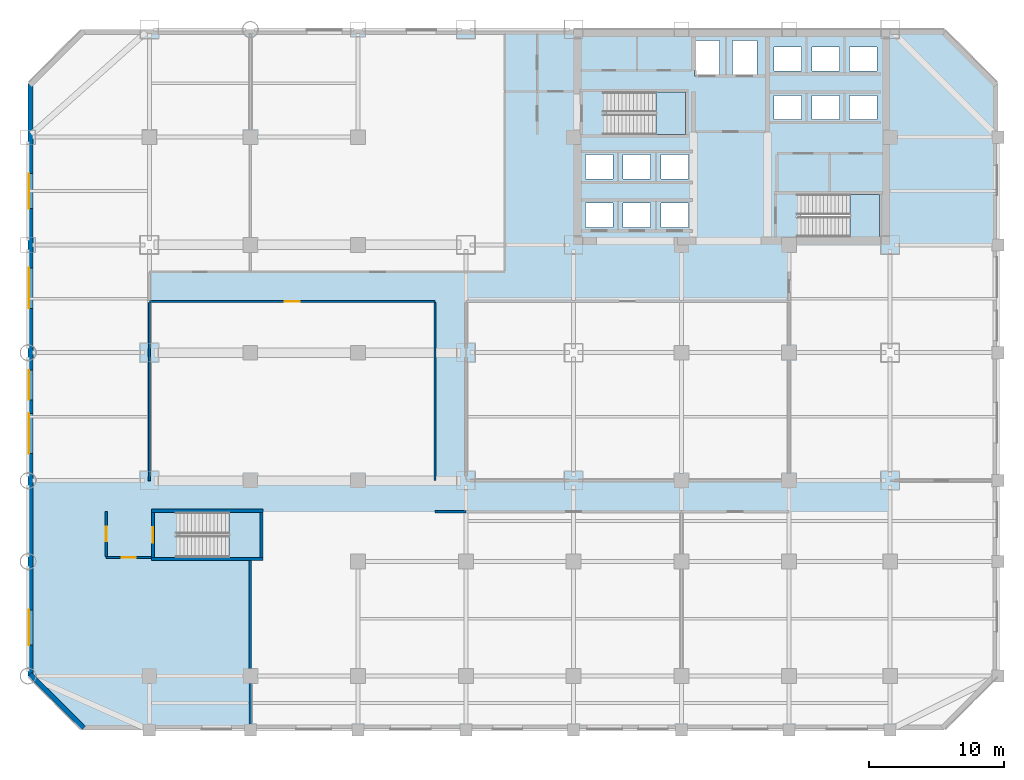
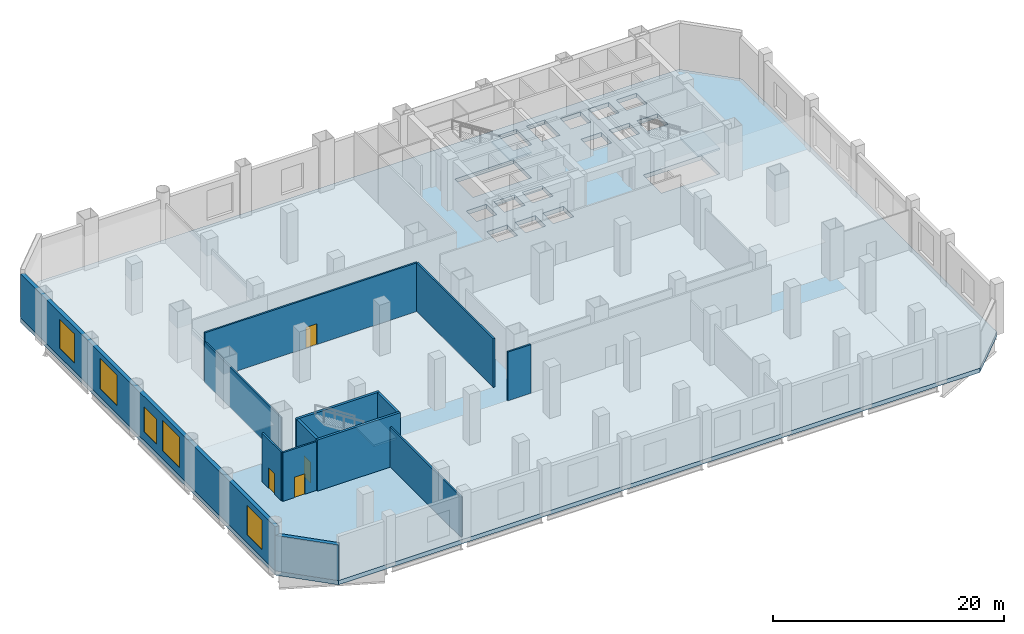
# One storey, part 3 of 10: 13 walls, 5 windows, 4 doors, 4 slabs, 9 openings, 3 elements without a shape of their own.
"""IFC4 building model written with IfcOpenShell, lengths in metres."""

from ifc_helpers import new_model, si_unit, direction, frame, frame_2d, origin, place, context, subcontext, project, spatial, polyline, rectangle, outline, extrude, material, layer, layer_set, type_object, element, fill, aggregate, save


model = new_model("IFC4")

# Units and contexts
model_context = context("Model", 3, precision=1e-05, world=origin(), true_north=direction((0.0, 1.0)))
body_context = subcontext(model_context, "Body", "Model", "MODEL_VIEW")
ifc_project = project(units=[si_unit("LENGTHUNIT", "METRE"), si_unit("AREAUNIT", "SQUARE_METRE"), si_unit("VOLUMEUNIT", "CUBIC_METRE"), si_unit("PLANEANGLEUNIT", "RADIAN"), si_unit("MASSUNIT", "GRAM", prefix="KILO")], contexts=[model_context])

# Site, building, storey
site_placement = place(None, origin())
site = spatial("IfcSite", under=ifc_project, at=site_placement, CompositionType="ELEMENT")
building_placement = place(site_placement, origin())
building = spatial("IfcBuilding", under=site, at=building_placement, Name="Qianrong Seaharbour Tower", CompositionType="ELEMENT")
storey_placement = place(building_placement, frame((0.0, 0.0, 17.39990234375)))
storey = spatial("IfcBuildingStorey", under=building, at=storey_placement, Name="L04", CompositionType="ELEMENT", Elevation=17.39990234375)

# Stair, slab
ifc_material_1 = material(Name="Concrete C50/60", Category="concrete")
stair_type_1 = type_object("IfcStairType", Name="STAIR-DOGLEG-1500-R30", PredefinedType="HALF_TURN_STAIR", material=ifc_material_1)
stair_1_placement = place(storey_placement, origin())
stair_1 = element("IfcStair", 1, at=stair_1_placement, inside=storey, type_object=stair_type_1, Name="L04 Protected Escape Stair ST-1", PredefinedType="HALF_TURN_STAIR")
ifc_layer_1 = layer(ifc_material_1, 0.199951171875)
ifc_layer_set_1 = layer_set([ifc_layer_1], Name="Concrete C50/60")
slab_type_1 = type_object("IfcSlabType", Name="SLAB-STAIR-LANDING-200", PredefinedType="LANDING", material=ifc_layer_set_1)
slab_1_placement = place(storey_placement, frame((0.0, 0.0, 2.5)))
slab_1 = element("IfcSlab", 2, at=slab_1_placement, type_object=slab_type_1, Name="ST-1 landing 1", PredefinedType="LANDING", context=body_context, shape_type="SweptSolid", body=[
    extrude(outline(polyline([(46.6201171875, 44.199951171875), (48.800048828125, 44.199951171875), (48.800048828125, 47.35009765625), (46.6201171875, 47.35009765625), (46.6201171875, 44.199951171875)])), origin(), (0.0, 0.0, 1.0), 0.2001953125),
])
aggregate(stair_1, [slab_1])

stair_2_placement = place(storey_placement, origin())
stair_2 = element("IfcStair", 3, at=stair_2_placement, inside=storey, type_object=stair_type_1, Name="L04 Protected Escape Stair ST-2", PredefinedType="HALF_TURN_STAIR")
slab_2_placement = place(storey_placement, frame((0.0, 0.0, 2.5)))
slab_2 = element("IfcSlab", 4, at=slab_2_placement, type_object=slab_type_1, Name="ST-2 landing 1", PredefinedType="LANDING", context=body_context, shape_type="SweptSolid", body=[
    extrude(outline(polyline([(61.02001953125, 36.60009765625), (63.199951171875, 36.60009765625), (63.199951171875, 39.75), (61.02001953125, 39.75), (61.02001953125, 36.60009765625)])), origin(), (0.0, 0.0, 1.0), 0.2001953125),
])
aggregate(stair_2, [slab_2])

stair_type_2 = type_object("IfcStairType", Name="STAIR-DOGLEG-1600-R30", PredefinedType="HALF_TURN_STAIR", material=ifc_material_1)
stair_3_placement = place(storey_placement, origin())
stair_3 = element("IfcStair", 5, at=stair_3_placement, inside=storey, type_object=stair_type_2, Name="L04 Protected Escape Stair PST-3", PredefinedType="HALF_TURN_STAIR")
slab_3_placement = place(storey_placement, frame((0.0, 0.0, 2.5)))
slab_3 = element("IfcSlab", 6, at=slab_3_placement, type_object=slab_type_1, Name="PST-3 landing 1", PredefinedType="LANDING", context=body_context, shape_type="SweptSolid", body=[
    extrude(outline(polyline([(14.919921875, 12.800048828125), (17.199951171875, 12.800048828125), (17.199951171875, 16.14990234375), (14.919921875, 16.14990234375), (14.919921875, 12.800048828125)])), origin(), (0.0, 0.0, 1.0), 0.2001953125),
])
aggregate(stair_3, [slab_3])

# Slab
ifc_material_2 = material(Name="Concrete C60/75", Category="concrete")
ifc_layer_2 = layer(ifc_material_2, 0.449951171875)
ifc_layer_set_2 = layer_set([ifc_layer_2], Name="Concrete C60/75")
slab_type_2 = type_object("IfcSlabType", Name="SLAB-TRANSFER-450", PredefinedType="FLOOR", material=ifc_layer_set_2)
slab_4_placement = place(storey_placement, frame((0.0, 0.0, -0.449951171875)))
element("IfcSlab", 7, at=slab_4_placement, inside=storey, type_object=slab_type_2, Name="L04 Structural Floor Slab", PredefinedType="FLOOR", context=body_context, shape_type="SweptSolid", body=[
    extrude(outline(polyline([(4.0, 0.0), (68.0, 0.0), (72.0, 4.0), (72.0, 48.0), (68.0, 52.0), (4.0, 52.0), (0.0, 48.0), (0.0, 4.0), (4.0, 0.0)]), holes=[polyline([(42.93994140625, 44.199951171875), (42.93994140625, 47.35009765625), (48.800048828125, 47.35009765625), (48.800048828125, 44.199951171875), (42.93994140625, 44.199951171875)]), polyline([(57.340087890625, 36.60009765625), (57.340087890625, 39.75), (63.199951171875, 39.75), (63.199951171875, 36.60009765625), (57.340087890625, 36.60009765625)]), polyline([(11.239990234375, 12.800048828125), (11.239990234375, 16.14990234375), (17.199951171875, 16.14990234375), (17.199951171875, 12.800048828125), (11.239990234375, 12.800048828125)]), polyline([(49.47998046875, 48.530029296875), (49.47998046875, 51.169921875), (51.320068359375, 51.169921875), (51.320068359375, 48.530029296875), (49.47998046875, 48.530029296875)]), polyline([(52.280029296875, 48.530029296875), (52.280029296875, 51.169921875), (54.1201171875, 51.169921875), (54.1201171875, 48.530029296875), (52.280029296875, 48.530029296875)]), polyline([(41.3798828125, 37.300048828125), (41.3798828125, 39.10009765625), (43.419921875, 39.10009765625), (43.419921875, 37.300048828125), (41.3798828125, 37.300048828125)]), polyline([(44.179931640625, 37.300048828125), (44.179931640625, 39.10009765625), (46.219970703125, 39.10009765625), (46.219970703125, 37.300048828125), (44.179931640625, 37.300048828125)]), polyline([(46.97998046875, 37.300048828125), (46.97998046875, 39.10009765625), (49.02001953125, 39.10009765625), (49.02001953125, 37.300048828125), (46.97998046875, 37.300048828125)]), polyline([(41.3798828125, 40.89990234375), (41.3798828125, 42.699951171875), (43.419921875, 42.699951171875), (43.419921875, 40.89990234375), (41.3798828125, 40.89990234375)]), polyline([(44.179931640625, 40.89990234375), (44.179931640625, 42.699951171875), (46.219970703125, 42.699951171875), (46.219970703125, 40.89990234375), (44.179931640625, 40.89990234375)]), polyline([(46.97998046875, 40.89990234375), (46.97998046875, 42.699951171875), (49.02001953125, 42.699951171875), (49.02001953125, 40.89990234375), (46.97998046875, 40.89990234375)]), polyline([(55.3798828125, 45.300048828125), (55.3798828125, 47.10009765625), (57.419921875, 47.10009765625), (57.419921875, 45.300048828125), (55.3798828125, 45.300048828125)]), polyline([(58.179931640625, 45.300048828125), (58.179931640625, 47.10009765625), (60.219970703125, 47.10009765625), (60.219970703125, 45.300048828125), (58.179931640625, 45.300048828125)]), polyline([(60.97998046875, 45.300048828125), (60.97998046875, 47.10009765625), (63.02001953125, 47.10009765625), (63.02001953125, 45.300048828125), (60.97998046875, 45.300048828125)]), polyline([(55.3798828125, 48.89990234375), (55.3798828125, 50.699951171875), (57.419921875, 50.699951171875), (57.419921875, 48.89990234375), (55.3798828125, 48.89990234375)]), polyline([(58.179931640625, 48.89990234375), (58.179931640625, 50.699951171875), (60.219970703125, 50.699951171875), (60.219970703125, 48.89990234375), (58.179931640625, 48.89990234375)]), polyline([(60.97998046875, 48.89990234375), (60.97998046875, 50.699951171875), (63.02001953125, 50.699951171875), (63.02001953125, 48.89990234375), (60.97998046875, 48.89990234375)])]), origin(), (0.0, 0.0, 1.0), 0.449951171875),
])

# Wall, opening, door
ifc_material_3 = material(Name="Fire-rated acoustic gypsum board partition")
ifc_layer_3 = layer(ifc_material_3, 0.1650390625)
ifc_layer_set_3 = layer_set([ifc_layer_3], Name="Fire-rated acoustic gypsum board partition")
wall_type_1 = type_object("IfcWallType", Name="WALL-CORR-PART-165", PredefinedType="PARTITIONING", material=ifc_layer_set_3)
wall_1_placement = place(storey_placement, frame((9.159912109375, 12.800048828125, 0.0), z_axis=(0.0, 0.0, 1.0), x_axis=(-1.0, 0.0, 0.0)))
wall_1 = element("IfcWall", 8, at=wall_1_placement, inside=storey, type_object=wall_type_1, Name="L04 Interior Partition Wall 014", PredefinedType="PARTITIONING", context=body_context, shape_type="SweptSolid", body=[
    extrude(rectangle(XDim=3.35986328125, YDim=0.1650390625, at=frame_2d((1.679931640625, 0.0))), origin(), (0.0, 0.0, 1.0), 5.14013671875),
])
opening_1_placement = place(wall_1_placement, frame((1.155029296875, 0.0, 0.0)))
opening_1 = element("IfcOpeningElement", 9, at=opening_1_placement, cuts=wall_1, Name="Opening DC-01", PredefinedType="OPENING", context=body_context, shape_type="SweptSolid", body=[
    extrude(rectangle(XDim=1.050048828125, YDim=2.14990234375, at=frame_2d((0.52490234375, 1.074951171875))), frame((0.0, 0.092529296875, 0.0), z_axis=(0.0, -1.0, 0.0), x_axis=(1.0, 0.0, 0.0)), (0.0, 0.0, 1.0), 0.18505859375),
])
ifc_material_4 = material(Name="Acoustic timber and galvanized steel fire door assembly", Category="steel")
door_type_1 = type_object("IfcDoorType", Name="DOOR-CORR-FD60-1050x2150", OperationType="NOTDEFINED", PredefinedType="DOOR", material=ifc_material_4)
door_1_placement = place(opening_1_placement, origin())
door_1 = element("IfcDoor", 10, at=door_1_placement, inside=storey, type_object=door_type_1, Name="L04 Podium Stair Vestibule PST-3 Door", OperationType="SINGLE_SWING_RIGHT", OverallHeight=2.14990234375, OverallWidth=1.050048828125, PredefinedType="DOOR", context=body_context, shape_type="SweptSolid", body=[
    extrude(rectangle(XDim=1.050048828125, YDim=2.14990234375, at=frame_2d((0.52490234375, 1.074951171875))), frame((0.0, 0.02490234375, 0.0), z_axis=(0.0, -1.0, 0.0), x_axis=(1.0, 0.0, 0.0)), (0.0, 0.0, 1.0), 0.050048828125),
])
fill(opening_1, door_1)

wall_2_placement = place(storey_placement, frame((5.800048828125, 12.87451171875, 0.0), z_axis=(0.0, 0.0, 1.0), x_axis=(0.0, 1.0, 0.0)))
wall_2 = element("IfcWall", 11, at=wall_2_placement, inside=storey, type_object=wall_type_1, Name="L04 Interior Partition Wall 015", PredefinedType="PARTITIONING", context=body_context, shape_type="SweptSolid", body=[
    extrude(rectangle(XDim=3.325439453125, YDim=0.1650390625, at=frame_2d((1.66259765625, 0.0))), origin(), (0.0, 0.0, 1.0), 5.14013671875),
])
opening_2_placement = place(wall_2_placement, frame((1.1376953125, 0.0, 0.0)))
opening_2 = element("IfcOpeningElement", 12, at=opening_2_placement, cuts=wall_2, Name="Opening DC-01", PredefinedType="OPENING", context=body_context, shape_type="SweptSolid", body=[
    extrude(rectangle(XDim=1.050048828125, YDim=2.14990234375, at=frame_2d((0.52490234375, 1.074951171875))), frame((0.0, 0.092529296875, 0.0), z_axis=(0.0, -1.0, 0.0), x_axis=(1.0, 0.0, 0.0)), (0.0, 0.0, 1.0), 0.18505859375),
])
door_2_placement = place(opening_2_placement, origin())
door_2 = element("IfcDoor", 13, at=door_2_placement, inside=storey, type_object=door_type_1, Name="L04 Podium Stair Vestibule PST-3 Door", OperationType="SINGLE_SWING_LEFT", OverallHeight=2.14990234375, OverallWidth=1.050048828125, PredefinedType="DOOR", context=body_context, shape_type="SweptSolid", body=[
    extrude(rectangle(XDim=1.050048828125, YDim=2.14990234375, at=frame_2d((0.52490234375, 1.074951171875))), frame((0.0, 0.02490234375, 0.0), z_axis=(0.0, -1.0, 0.0), x_axis=(1.0, 0.0, 0.0)), (0.0, 0.0, 1.0), 0.050048828125),
])
fill(opening_2, door_2)

wall_3_placement = place(storey_placement, frame((30.199951171875, 31.800048828125, 0.0), z_axis=(0.0, 0.0, 1.0), x_axis=(-1.0, 0.0, 0.0)))
wall_3 = element("IfcWall", 14, at=wall_3_placement, inside=storey, type_object=wall_type_1, Name="L04 Interior Partition Wall 017", PredefinedType="PARTITIONING", context=body_context, shape_type="SweptSolid", body=[
    extrude(rectangle(XDim=21.199951171875, YDim=0.1650390625, at=frame_2d((10.60009765625, 0.0))), origin(), (0.0, 0.0, 1.0), 5.14013671875),
])
opening_3_placement = place(wall_3_placement, frame((10.050048828125, 0.0, 0.0)))
opening_3 = element("IfcOpeningElement", 15, at=opening_3_placement, cuts=wall_3, Name="Opening DM-01", PredefinedType="OPENING", context=body_context, shape_type="SweptSolid", body=[
    extrude(rectangle(XDim=1.10009765625, YDim=2.199951171875, at=frame_2d((0.550048828125, 1.10009765625))), frame((0.0, 0.092529296875, 0.0), z_axis=(0.0, -1.0, 0.0), x_axis=(1.0, 0.0, 0.0)), (0.0, 0.0, 1.0), 0.18505859375),
])
door_type_2 = type_object("IfcDoorType", Name="DOOR-MEET-1100x2200", OperationType="NOTDEFINED", PredefinedType="DOOR", material=ifc_material_4)
door_3_placement = place(opening_3_placement, origin())
door_3 = element("IfcDoor", 16, at=door_3_placement, inside=storey, type_object=door_type_2, Name="L04 Symposium Room Door", OperationType="SINGLE_SWING_RIGHT", OverallHeight=2.199951171875, OverallWidth=1.10009765625, PredefinedType="DOOR", context=body_context, shape_type="SweptSolid", body=[
    extrude(rectangle(XDim=1.10009765625, YDim=2.199951171875, at=frame_2d((0.550048828125, 1.10009765625))), frame((0.0, 0.02490234375, 0.0), z_axis=(0.0, -1.0, 0.0), x_axis=(1.0, 0.0, 0.0)), (0.0, 0.0, 1.0), 0.050048828125),
])
fill(opening_3, door_3)

# Walls
wall_4_placement = place(storey_placement, frame((30.199951171875, 18.5, 0.0), z_axis=(0.0, 0.0, 1.0), x_axis=(0.0, 1.0, 0.0)))
element("IfcWall", 17, at=wall_4_placement, inside=storey, type_object=wall_type_1, Name="L04 Interior Partition Wall 024", PredefinedType="PARTITIONING", context=body_context, shape_type="SweptSolid", body=[
    extrude(rectangle(XDim=13.2255859375, YDim=0.1650390625, at=frame_2d((6.61279296875, 0.0))), origin(), (0.0, 0.0, 1.0), 5.14013671875),
])
wall_5_placement = place(storey_placement, frame((32.5, 16.199951171875, 0.0), z_axis=(0.0, 0.0, 1.0), x_axis=(-1.0, 0.0, 0.0)))
element("IfcWall", 18, at=wall_5_placement, inside=storey, type_object=wall_type_1, Name="L04 Interior Partition Wall 025", PredefinedType="PARTITIONING", context=body_context, shape_type="SweptSolid", body=[
    extrude(rectangle(XDim=2.300048828125, YDim=0.1650390625, at=frame_2d((1.14990234375, 0.0))), origin(), (0.0, 0.0, 1.0), 5.14013671875),
])
wall_6_placement = place(storey_placement, frame((16.5, 0.3720703125, 0.0), z_axis=(0.0, 0.0, 1.0), x_axis=(0.0, 1.0, 0.0)))
element("IfcWall", 19, at=wall_6_placement, inside=storey, type_object=wall_type_1, Name="L04 Interior Partition Wall 034", PredefinedType="PARTITIONING", context=body_context, shape_type="SweptSolid", body=[
    extrude(rectangle(XDim=12.196044921875, YDim=0.1650390625, at=frame_2d((6.09814453125, 0.0))), origin(), (0.0, 0.0, 1.0), 4.232177734375),
])

# Wall, openings, windows
ifc_material_5 = material(Name="Natural honed granite dimension stone", Category="masonry")
ifc_layer_4 = layer(ifc_material_5, 0.3798828125)
ifc_layer_set_4 = layer_set([ifc_layer_4], Name="Natural honed granite dimension stone")
wall_type_2 = type_object("IfcWallType", Name="WALL-EXT-GRANITE-380", PredefinedType="SOLIDWALL", material=ifc_layer_set_4)
wall_7_placement = place(storey_placement, frame((0.18994140625, 4.0, 0.0), z_axis=(0.0, 0.0, 1.0), x_axis=(0.0, 1.0, 0.0)))
wall_7 = element("IfcWall", 20, at=wall_7_placement, inside=storey, type_object=wall_type_2, Name="L04 Exterior Masonry Facade Wall WEST_TIP", PredefinedType="SOLIDWALL", context=body_context, shape_type="SweptSolid", body=[
    extrude(rectangle(XDim=44.0, YDim=0.3798828125, at=frame_2d((22.0, 0.0))), origin(), (0.0, 0.0, 1.0), 4.64013671875),
])
opening_4_placement = place(wall_7_placement, frame((2.300048828125, 0.0, 0.85009765625)))
opening_4 = element("IfcOpeningElement", 21, at=opening_4_placement, cuts=wall_7, Name="Opening WN-11", PredefinedType="OPENING", context=body_context, shape_type="SweptSolid", body=[
    extrude(rectangle(XDim=2.60009765625, YDim=3.10009765625, at=frame_2d((1.300048828125, 1.550048828125))), frame((0.0, 0.199951171875, 0.0), z_axis=(0.0, -1.0, 0.0), x_axis=(1.0, 0.0, 0.0)), (0.0, 0.0, 1.0), 0.39990234375),
])
opening_5_placement = place(wall_7_placement, frame((16.5, 0.0, 0.85009765625)))
opening_5 = element("IfcOpeningElement", 22, at=opening_5_placement, cuts=wall_7, Name="Opening WN-12", PredefinedType="OPENING", context=body_context, shape_type="SweptSolid", body=[
    extrude(rectangle(XDim=3.0, YDim=3.199951171875, at=frame_2d((1.5, 1.60009765625))), frame((0.0, 0.199951171875, 0.0), z_axis=(0.0, -1.0, 0.0), x_axis=(1.0, 0.0, 0.0)), (0.0, 0.0, 1.0), 0.39990234375),
])
opening_6_placement = place(wall_7_placement, frame((20.5, 0.0, 0.89990234375)))
opening_6 = element("IfcOpeningElement", 23, at=opening_6_placement, cuts=wall_7, Name="Opening WN-10", PredefinedType="OPENING", context=body_context, shape_type="SweptSolid", body=[
    extrude(rectangle(XDim=2.199951171875, YDim=2.64990234375, at=frame_2d((1.10009765625, 1.324951171875))), frame((0.0, 0.199951171875, 0.0), z_axis=(0.0, -1.0, 0.0), x_axis=(1.0, 0.0, 0.0)), (0.0, 0.0, 1.0), 0.39990234375),
])
opening_7_placement = place(wall_7_placement, frame((27.300048828125, 0.0, 0.85009765625)))
opening_7 = element("IfcOpeningElement", 24, at=opening_7_placement, cuts=wall_7, Name="Opening WN-12", PredefinedType="OPENING", context=body_context, shape_type="SweptSolid", body=[
    extrude(rectangle(XDim=3.0, YDim=3.199951171875, at=frame_2d((1.5, 1.60009765625))), frame((0.0, 0.199951171875, 0.0), z_axis=(0.0, -1.0, 0.0), x_axis=(1.0, 0.0, 0.0)), (0.0, 0.0, 1.0), 0.39990234375),
])
opening_8_placement = place(wall_7_placement, frame((34.699951171875, 0.0, 0.85009765625)))
opening_8 = element("IfcOpeningElement", 25, at=opening_8_placement, cuts=wall_7, Name="Opening WN-11", PredefinedType="OPENING", context=body_context, shape_type="SweptSolid", body=[
    extrude(rectangle(XDim=2.60009765625, YDim=3.10009765625, at=frame_2d((1.300048828125, 1.550048828125))), frame((0.0, 0.199951171875, 0.0), z_axis=(0.0, -1.0, 0.0), x_axis=(1.0, 0.0, 0.0)), (0.0, 0.0, 1.0), 0.39990234375),
])
ifc_material_6 = material(Name="Insulated low-e double glazing in thermally broken aluminium 6063-T6 frame", Category="aluminium")
window_type_1 = type_object("IfcWindowType", Name="WIN-POD-2600x3100", PartitioningType="TRIPLE_PANEL_VERTICAL", PredefinedType="WINDOW", material=ifc_material_6)
window_1_placement = place(opening_4_placement, origin())
window_1 = element("IfcWindow", 26, at=window_1_placement, inside=storey, type_object=window_type_1, Name="L04 Deep-Set Punched Window 00.01", OverallHeight=3.10009765625, OverallWidth=2.60009765625, PartitioningType="TRIPLE_PANEL_VERTICAL", PredefinedType="WINDOW", context=body_context, shape_type="SweptSolid", body=[
    extrude(rectangle(XDim=2.60009765625, YDim=3.10009765625, at=frame_2d((1.300048828125, 1.550048828125))), frame((0.0, 0.150146484375, 0.0), z_axis=(0.0, -1.0, 0.0), x_axis=(1.0, 0.0, 0.0)), (0.0, 0.0, 1.0), 0.06005859375),
])
fill(opening_4, window_1)
window_2_placement = place(opening_8_placement, origin())
window_2 = element("IfcWindow", 27, at=window_2_placement, inside=storey, type_object=window_type_1, Name="L04 Deep-Set Punched Window 00.10", OverallHeight=3.10009765625, OverallWidth=2.60009765625, PartitioningType="TRIPLE_PANEL_VERTICAL", PredefinedType="WINDOW", context=body_context, shape_type="SweptSolid", body=[
    extrude(rectangle(XDim=2.60009765625, YDim=3.10009765625, at=frame_2d((1.300048828125, 1.550048828125))), frame((0.0, 0.150146484375, 0.0), z_axis=(0.0, -1.0, 0.0), x_axis=(1.0, 0.0, 0.0)), (0.0, 0.0, 1.0), 0.06005859375),
])
fill(opening_8, window_2)
window_type_2 = type_object("IfcWindowType", Name="WIN-POD-3000x3200", PartitioningType="TRIPLE_PANEL_VERTICAL", PredefinedType="WINDOW", material=ifc_material_6)
window_3_placement = place(opening_5_placement, origin())
window_3 = element("IfcWindow", 28, at=window_3_placement, inside=storey, type_object=window_type_2, Name="L04 Deep-Set Punched Window 00.05", OverallHeight=3.199951171875, OverallWidth=3.0, PartitioningType="TRIPLE_PANEL_VERTICAL", PredefinedType="WINDOW", context=body_context, shape_type="SweptSolid", body=[
    extrude(rectangle(XDim=3.0, YDim=3.199951171875, at=frame_2d((1.5, 1.60009765625))), frame((0.0, 0.150146484375, 0.0), z_axis=(0.0, -1.0, 0.0), x_axis=(1.0, 0.0, 0.0)), (0.0, 0.0, 1.0), 0.06005859375),
])
fill(opening_5, window_3)
window_4_placement = place(opening_7_placement, origin())
window_4 = element("IfcWindow", 29, at=window_4_placement, inside=storey, type_object=window_type_2, Name="L04 Deep-Set Punched Window 00.08", OverallHeight=3.199951171875, OverallWidth=3.0, PartitioningType="TRIPLE_PANEL_VERTICAL", PredefinedType="WINDOW", context=body_context, shape_type="SweptSolid", body=[
    extrude(rectangle(XDim=3.0, YDim=3.199951171875, at=frame_2d((1.5, 1.60009765625))), frame((0.0, 0.150146484375, 0.0), z_axis=(0.0, -1.0, 0.0), x_axis=(1.0, 0.0, 0.0)), (0.0, 0.0, 1.0), 0.06005859375),
])
fill(opening_7, window_4)
window_type_3 = type_object("IfcWindowType", Name="WIN-PUNCH-2200x2650", PartitioningType="TRIPLE_PANEL_VERTICAL", PredefinedType="WINDOW", material=ifc_material_6)
window_5_placement = place(opening_6_placement, origin())
window_5 = element("IfcWindow", 30, at=window_5_placement, inside=storey, type_object=window_type_3, Name="L04 Deep-Set Punched Window 00.06", OverallHeight=2.64990234375, OverallWidth=2.199951171875, PartitioningType="TRIPLE_PANEL_VERTICAL", PredefinedType="WINDOW", context=body_context, shape_type="SweptSolid", body=[
    extrude(rectangle(XDim=2.199951171875, YDim=2.64990234375, at=frame_2d((1.10009765625, 1.324951171875))), frame((0.0, 0.150146484375, 0.0), z_axis=(0.0, -1.0, 0.0), x_axis=(1.0, 0.0, 0.0)), (0.0, 0.0, 1.0), 0.06005859375),
])
fill(opening_6, window_5)

# Walls
wall_8_placement = place(storey_placement, frame((4.13427734375, 0.13427734375, 0.0), z_axis=(0.0, 0.0, 1.0), x_axis=(-0.707106781187, 0.707106781187, 0.0)))
element("IfcWall", 31, at=wall_8_placement, inside=storey, type_object=wall_type_2, Name="L04 Exterior Masonry Facade Wall E07", PredefinedType="SOLIDWALL", context=body_context, shape_type="SweptSolid", body=[
    extrude(rectangle(XDim=5.65673828125, YDim=0.3798828125, at=frame_2d((2.828369140625, 0.0))), origin(), (0.0, 0.0, 1.0), 3.739990234375),
])
ifc_material_7 = material(Name="Acoustic gypsum board stud partition")
ifc_layer_5 = layer(ifc_material_7, 0.14501953125)
ifc_layer_set_5 = layer_set([ifc_layer_5], Name="Acoustic gypsum board stud partition")
wall_type_3 = type_object("IfcWallType", Name="WALL-OFFICE-PART-145", PredefinedType="PARTITIONING", material=ifc_layer_set_5)
wall_9_placement = place(storey_placement, frame((9.0, 18.5, 0.0), z_axis=(0.0, 0.0, 1.0), x_axis=(0.0, 1.0, 0.0)))
element("IfcWall", 32, at=wall_9_placement, inside=storey, type_object=wall_type_3, Name="L04 Interior Partition Wall 030", PredefinedType="PARTITIONING", context=body_context, shape_type="SweptSolid", body=[
    extrude(rectangle(XDim=13.2255859375, YDim=0.14501953125, at=frame_2d((6.61279296875, 0.0))), origin(), (0.0, 0.0, 1.0), 4.232177734375),
])
ifc_layer_6 = layer(ifc_material_1, 0.239990234375)
ifc_layer_set_6 = layer_set([ifc_layer_6], Name="Concrete C50/60")
wall_type_4 = type_object("IfcWallType", Name="WALL-SHAFT-RC240", PredefinedType="SOLIDWALL", material=ifc_layer_set_6)
for number, where, z_axis, x_axis, name in (
    (33, (9.159912109375, 16.27001953125, 0.0), (0.0, 0.0, 1.0), (1.0, 0.0, 0.0), "L04 PST-3 Structural Stair Core Wall N"),
    (34, (17.43994140625, 12.679931640625, 0.0), (0.0, 0.0, 1.0), (-1.0, 0.0, 0.0), "L04 PST-3 Structural Stair Core Wall S"),
):
    element("IfcWall", number, at=place(storey_placement, frame(where, z_axis=z_axis, x_axis=x_axis)), inside=storey, type_object=wall_type_4, Name=name, PredefinedType="SOLIDWALL", context=body_context, shape_type="SweptSolid", body=[
        extrude(rectangle(XDim=8.280029296875, YDim=0.239990234375, at=frame_2d((4.14013671875, 0.0))), origin(), (0.0, 0.0, 1.0), 5.400146484375),
    ])

# Wall, opening, door
wall_10_placement = place(storey_placement, frame((9.280029296875, 16.14990234375, 0.0), z_axis=(0.0, 0.0, 1.0), x_axis=(0.0, -1.0, 0.0)))
wall_10 = element("IfcWall", 35, at=wall_10_placement, inside=storey, type_object=wall_type_4, Name="L04 PST-3 Structural Stair Core Wall W", PredefinedType="SOLIDWALL", context=body_context, shape_type="SweptSolid", body=[
    extrude(rectangle(XDim=3.349853515625, YDim=0.239990234375, at=frame_2d((1.6748046875, 0.0))), origin(), (0.0, 0.0, 1.0), 5.400146484375),
])
opening_9_placement = place(wall_10_placement, frame((1.10009765625, 0.0, 0.0)))
opening_9 = element("IfcOpeningElement", 36, at=opening_9_placement, cuts=wall_10, Name="Opening SD-01", PredefinedType="OPENING", context=body_context, shape_type="SweptSolid", body=[
    extrude(rectangle(XDim=1.14990234375, YDim=2.199951171875, at=frame_2d((0.574951171875, 1.10009765625))), frame((0.0, 0.1298828125, 0.0), z_axis=(0.0, -1.0, 0.0), x_axis=(1.0, 0.0, 0.0)), (0.0, 0.0, 1.0), 0.260009765625),
])
door_type_3 = type_object("IfcDoorType", Name="DOOR-STAIR-FD60-1150x2200", OperationType="NOTDEFINED", PredefinedType="DOOR", material=ifc_material_4)
door_4_placement = place(opening_9_placement, origin())
door_4 = element("IfcDoor", 37, at=door_4_placement, inside=storey, type_object=door_type_3, Name="L04 PST-3 Protected Stair Door", OperationType="SINGLE_SWING_LEFT", OverallHeight=2.199951171875, OverallWidth=1.14990234375, PredefinedType="DOOR", context=body_context, shape_type="SweptSolid", body=[
    extrude(rectangle(XDim=1.14990234375, YDim=2.199951171875, at=frame_2d((0.574951171875, 1.10009765625))), frame((0.0, 0.02490234375, 0.0), z_axis=(0.0, -1.0, 0.0), x_axis=(1.0, 0.0, 0.0)), (0.0, 0.0, 1.0), 0.050048828125),
])
fill(opening_9, door_4)

# Wall
wall_11_placement = place(storey_placement, frame((17.320068359375, 12.800048828125, 0.0), z_axis=(0.0, 0.0, 1.0), x_axis=(0.0, 1.0, 0.0)))
element("IfcWall", 38, at=wall_11_placement, inside=storey, type_object=wall_type_4, Name="L04 PST-3 Structural Stair Core Wall E", PredefinedType="SOLIDWALL", context=body_context, shape_type="SweptSolid", body=[
    extrude(rectangle(XDim=3.349853515625, YDim=0.239990234375, at=frame_2d((1.6748046875, 0.0))), origin(), (0.0, 0.0, 1.0), 5.400146484375),
])

save(model, "model.ifc")
